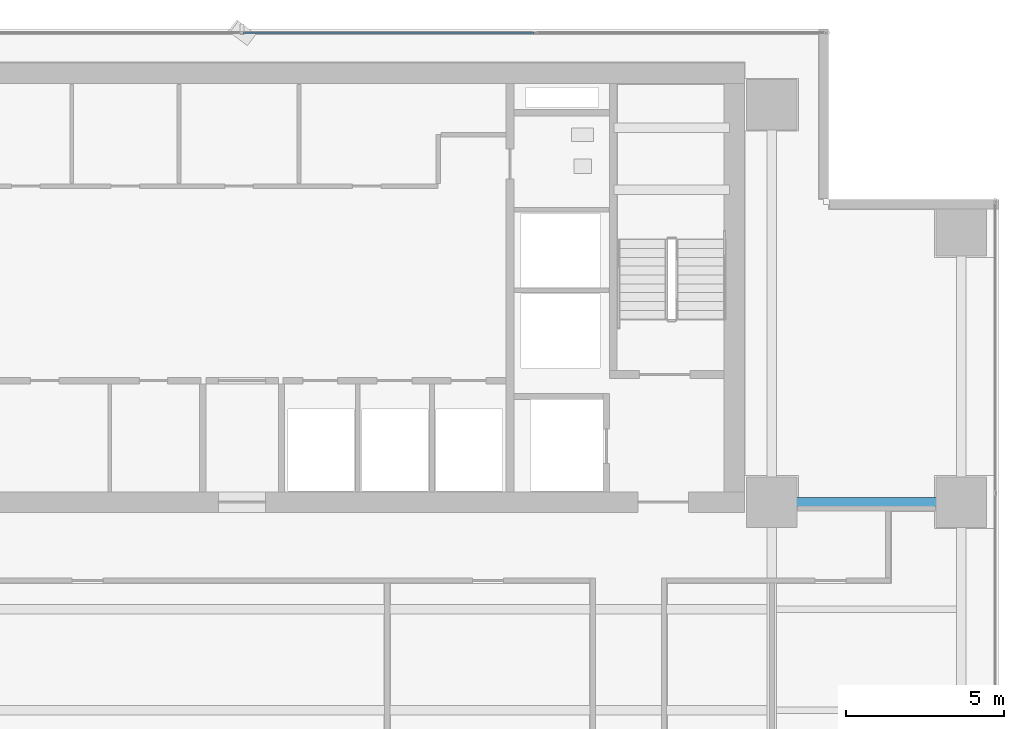
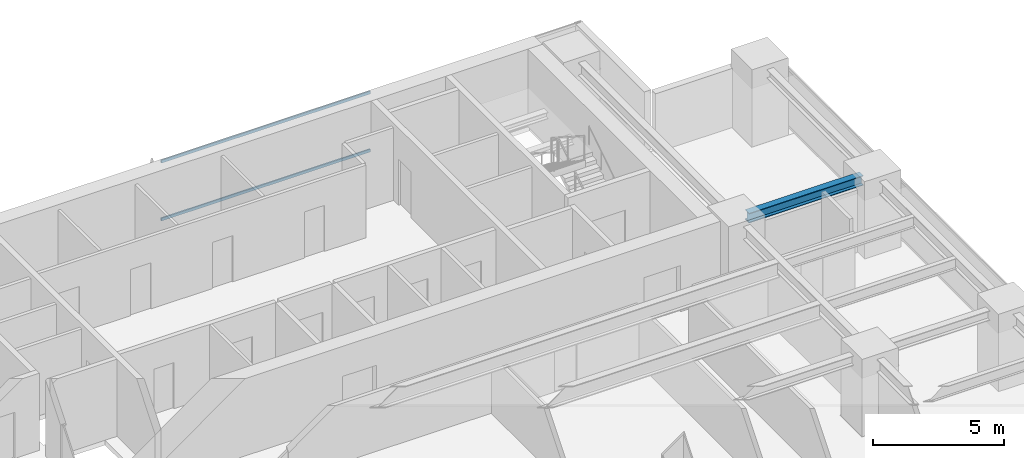
# One storey, part 17 of 27: 2 members, 1 beam, 1 element without a shape of its own.
"""IFC4 building model written with IfcOpenShell, lengths in metres."""

from ifc_helpers import new_model, si_unit, direction, frame, origin, origin_2d, place, context, subcontext, project, spatial, hollow_rectangle, i_section, extrude, source, transform, mapped, material, layer, layer_set, material_profile, profile_set, type_object, element, aggregate, save


model = new_model("IFC4")

# Units and contexts
model_context = context("Model", 3, precision=1e-05, world=origin(), true_north=direction((0.0, 1.0)))
body_context = subcontext(model_context, "Body", "Model", "MODEL_VIEW")
ifc_project = project(units=[si_unit("LENGTHUNIT", "METRE"), si_unit("AREAUNIT", "SQUARE_METRE"), si_unit("VOLUMEUNIT", "CUBIC_METRE"), si_unit("PLANEANGLEUNIT", "RADIAN"), si_unit("MASSUNIT", "GRAM", prefix="KILO")], contexts=[model_context])

# Site, building, storey
site_placement = place(None, origin())
site = spatial("IfcSite", under=ifc_project, at=site_placement, CompositionType="ELEMENT")
building_placement = place(site_placement, origin())
building = spatial("IfcBuilding", under=site, at=building_placement, Name="Sumidabori Civic Tower", CompositionType="ELEMENT")
storey_placement = place(building_placement, frame((0.0, 0.0, 156.800048828125)))
storey = spatial("IfcBuildingStorey", under=building, at=storey_placement, Name="L40", CompositionType="ELEMENT", Elevation=156.800048828125)

# Beam
ifc_material_1 = material(Name="Steel SN490", Category="steel")
ifc_material_profile_1 = material_profile(ifc_material_1, i_section(OverallWidth=0.300048828125, OverallDepth=0.449951171875, WebThickness=0.013916015625, FlangeThickness=0.02587890625, at=origin_2d()), Name="HE 450 B")
ifc_profile_set_1 = profile_set([ifc_material_profile_1], Name="Steel SN490")
beam_type = type_object("IfcBeamType", Name="BM-GIRD-450", PredefinedType="BEAM", material=ifc_profile_set_1)
shared_shape_1 = source(origin(), body_context, "Body", "SweptSolid", [
    extrude(i_section(OverallWidth=0.300048828125, OverallDepth=0.449951171875, WebThickness=0.013916015625, FlangeThickness=0.02587890625, at=origin_2d()), origin(), (0.0, 0.0, 1.0), 5.0400390625),
])
beam_placement = place(storey_placement, frame((17.280029296875, 10.199951171875, 3.155029296875), z_axis=(1.0, 0.0, 0.0), x_axis=(0.0, 1.0, 0.0)))
element("IfcBeam", 1, at=beam_placement, inside=storey, type_object=beam_type, Name="Primary Girder L40 GX-18", PredefinedType="BEAM", context=body_context, shape_type="MappedRepresentation", body=[
    mapped(shared_shape_1, transform((0.0, 0.0, 0.0), x_axis=(1.0, 0.0, 0.0), y_axis=(0.0, 1.0, 0.0), z_axis=(0.0, 0.0, 1.0), scale=1.0)),
])

# Curtain wall, members
ifc_material_2 = material(Name="Anodised Bronze Aluminium AW-6063-T6", Category="aluminium")
ifc_layer = layer(ifc_material_2, 0.179931640625, Name="Anodised Bronze Aluminium AW-6063-T6")
ifc_layer_set = layer_set([ifc_layer], Name="Anodised Bronze Aluminium AW-6063-T6")
curtain_wall_type = type_object("IfcCurtainWallType", Name="CW-SYS-3", PredefinedType="NOTDEFINED", material=ifc_layer_set)
curtain_wall_placement = place(storey_placement, origin())
curtain_wall = element("IfcCurtainWall", 2, at=curtain_wall_placement, inside=storey, type_object=curtain_wall_type, Name="Curtain Wall CW:L40:R07", PredefinedType="NOTDEFINED")
ifc_material_profile_2 = material_profile(ifc_material_2, hollow_rectangle(XDim=0.06005859375, YDim=0.1298828125, WallThickness=0.0048828125, at=origin_2d()), Name="ALU TRANSOM 130x60")
ifc_profile_set_2 = profile_set([ifc_material_profile_2], Name="Anodised Bronze Aluminium AW-6063-T6")
member_type = type_object("IfcMemberType", Name="CW-TRN-130", PredefinedType="USERDEFINED", material=ifc_profile_set_2)
shared_shape_2 = source(origin(), body_context, "Body", "SweptSolid", [
    extrude(hollow_rectangle(XDim=0.06005859375, YDim=0.1298828125, WallThickness=0.0048828125, at=origin_2d()), origin(), (0.0, 0.0, 1.0), 9.219970703125),
])
member_1_placement = place(storey_placement, frame((9.25244140625, 25.080078125, 0.030029296875), z_axis=(-1.0, 0.0, 0.0), x_axis=(0.0, -1.0, 0.0)))
member_1 = element("IfcMember", 3, at=member_1_placement, type_object=member_type, Name="CW-3 transom 2.1", ObjectType="TRANSOM", PredefinedType="USERDEFINED", context=body_context, shape_type="MappedRepresentation", body=[
    mapped(shared_shape_2, transform((0.0, 0.0, 0.0), x_axis=(1.0, 0.0, 0.0), y_axis=(0.0, 1.0, 0.0), z_axis=(0.0, 0.0, 1.0), scale=1.0)),
])
member_2_placement = place(storey_placement, frame((9.25244140625, 25.080078125, 2.72998046875), z_axis=(-1.0, 0.0, 0.0), x_axis=(0.0, -1.0, 0.0)))
member_2 = element("IfcMember", 4, at=member_2_placement, type_object=member_type, Name="CW-3 transom 2.2", ObjectType="TRANSOM", PredefinedType="USERDEFINED", context=body_context, shape_type="MappedRepresentation", body=[
    mapped(shared_shape_2, transform((0.0, 0.0, 0.0), x_axis=(1.0, 0.0, 0.0), y_axis=(0.0, 1.0, 0.0), z_axis=(0.0, 0.0, 1.0), scale=1.0)),
])
aggregate(curtain_wall, [member_1, member_2])

save(model, "model.ifc")
